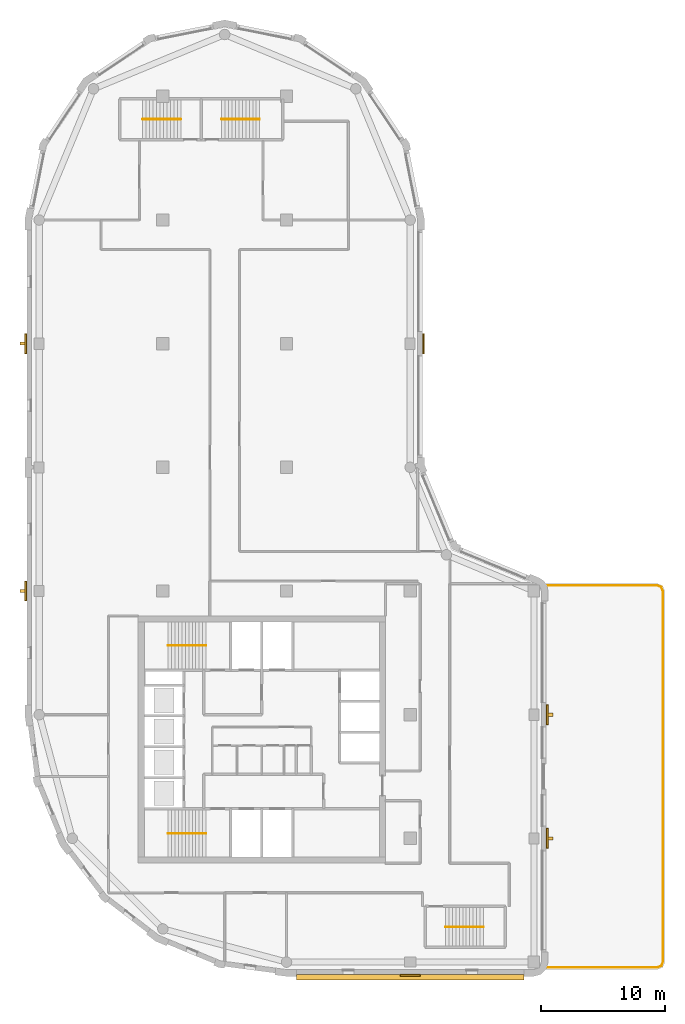
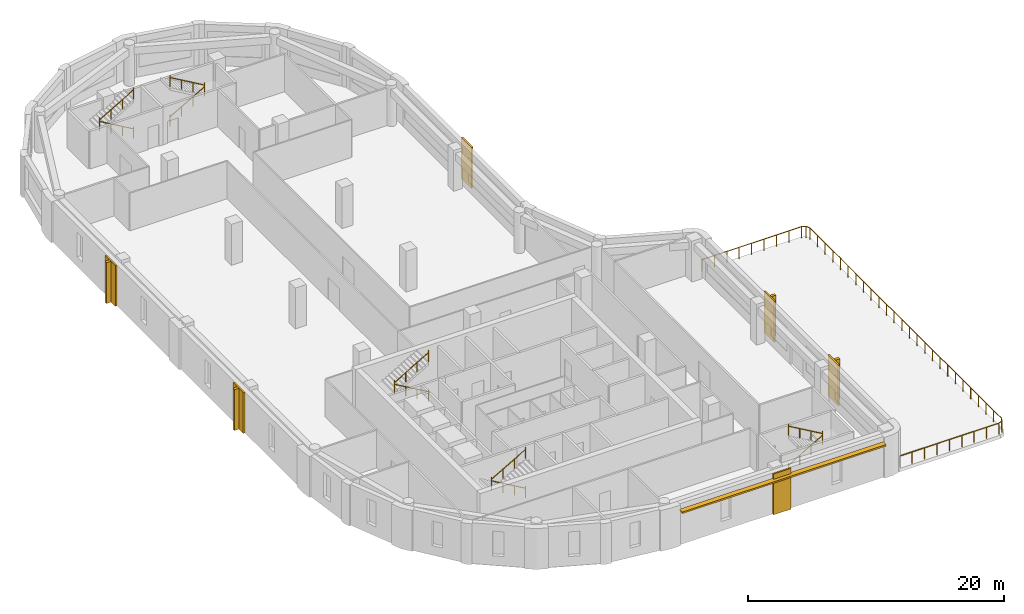
# One storey, part 7 of 8: 11 railings, 6 coverings, 5 shading devices.
"""IFC4 building model written with IfcOpenShell, lengths in metres."""

import ifcopenshell
import ifcopenshell.guid

model = None  # the IFC model being written
_history = None  # IfcOwnerHistory: only IFC2X3 demands one
_inside = {}  # id of a spatial element -> (the spatial element, [elements in it])
_under = {}  # id of a project, library or spatial element -> (it, [spatial elements below it])
_declared = {}  # id of a project -> (the project, [libraries it declares])
_typed = {}  # id of a type object -> (the type object, [elements of that type])
_made_of = {}  # id of a material, layer set ... -> (it, [elements and type objects made of it])


def new_model(schema):
    """Start an empty IFC model of exactly this schema.

    Asked for "IFC4X3", IfcOpenShell would pick the latest addendum, in which some entities
    have other attributes; the version numbers below select the first issue.
    IFC2X3 requires an IfcOwnerHistory on every rooted entity: one is made here for all.
    """
    global model, _history
    if schema == "IFC4X3":
        model = ifcopenshell.file(schema_version=(4, 3, 0, 0))
    else:
        model = ifcopenshell.file(schema=schema)
    _inside.clear()
    _under.clear()
    _declared.clear()
    _typed.clear()
    _made_of.clear()
    _history = None
    if model.schema == "IFC2X3":
        org = make("IfcOrganization", Name="unknown")
        user = make(
            "IfcPersonAndOrganization",
            ThePerson=make("IfcPerson", FamilyName="unknown"),
            TheOrganization=org,
        )
        app = make(
            "IfcApplication",
            ApplicationDeveloper=org,
            Version="unknown",
            ApplicationFullName="unknown",
            ApplicationIdentifier="unknown",
        )
        _history = make(
            "IfcOwnerHistory",
            OwningUser=user,
            OwningApplication=app,
            ChangeAction="ADDED",
            CreationDate=0,
        )
    return model


def make(cls, **values):
    """One entity of the class cls with the attributes given. An attribute that is None is left unset."""
    return model.create_entity(
        cls, **{name: value for name, value in values.items() if value is not None}
    )


def rooted(cls, **values):
    """An entity with a GlobalId (a new one), such as an element, a storey or a relation."""
    return make(cls, GlobalId=ifcopenshell.guid.new(), OwnerHistory=_history, **values)


def si_unit(unit_type, name, prefix=None):
    """IfcSIUnit, for example si_unit("LENGTHUNIT", "METRE", prefix="MILLI")."""
    return make("IfcSIUnit", UnitType=unit_type, Prefix=prefix, Name=name)


def assignment(units):
    """IfcUnitAssignment: the units of a project."""
    return None if units is None else make("IfcUnitAssignment", Units=units)


def point(xyz):
    """IfcCartesianPoint."""
    return None if xyz is None else make("IfcCartesianPoint", Coordinates=xyz)


def direction(xyz):
    """IfcDirection."""
    return None if xyz is None else make("IfcDirection", DirectionRatios=xyz)


def frame(location, z_axis=None, x_axis=None):
    """IfcAxis2Placement3D, a coordinate frame: its origin and axes. An axis left out is left unset."""
    return make(
        "IfcAxis2Placement3D",
        Location=point(location),
        Axis=direction(z_axis),
        RefDirection=direction(x_axis),
    )


def frame_2d(location, x_axis=None):
    """IfcAxis2Placement2D, a coordinate frame in the plane: its origin and x axis."""
    return make(
        "IfcAxis2Placement2D", Location=point(location), RefDirection=direction(x_axis)
    )


def origin():
    """The frame at (0, 0, 0) with its axes left unset."""
    return frame((0.0, 0.0, 0.0))


def origin_2d():
    """The frame at (0, 0) in the plane with its x axis left unset."""
    return frame_2d((0.0, 0.0))


def place(relative_to, where):
    """IfcLocalPlacement: puts the frame where relative to a parent placement (None: the world)."""
    return make(
        "IfcLocalPlacement", PlacementRelTo=relative_to, RelativePlacement=where
    )


def context(
    kind, dimensions, precision=None, world=None, true_north=None, identifier=None
):
    """IfcGeometricRepresentationContext, for example the 3D "Model" context."""
    return make(
        "IfcGeometricRepresentationContext",
        ContextIdentifier=identifier,
        ContextType=kind,
        CoordinateSpaceDimension=dimensions,
        Precision=precision,
        WorldCoordinateSystem=world,
        TrueNorth=true_north,
    )


def subcontext(parent, identifier, kind, view, scale=None):
    """IfcGeometricRepresentationSubContext, for example "Body" below "Model"."""
    return make(
        "IfcGeometricRepresentationSubContext",
        ContextIdentifier=identifier,
        ContextType=kind,
        ParentContext=parent,
        TargetScale=scale,
        TargetView=view,
    )


def project(units=None, contexts=None):
    """IfcProject with its units and contexts."""
    return rooted(
        "IfcProject",
        Name="project",
        RepresentationContexts=contexts,
        UnitsInContext=assignment(units),
    )


def spatial(cls, under=None, at=None, **own):
    """A site, building, storey or space (cls), placed at a placement, below another one or the project."""
    s = rooted(cls, ObjectPlacement=at, **own)
    if under is not None:
        _under.setdefault(under.id(), (under, []))[1].append(s)
    return s


def polyline(points):
    """IfcPolyline through the points."""
    return make("IfcPolyline", Points=[point(p) for p in points])


def profile(cls, at=None, kind="AREA", **sizes):
    """A parametric profile (cls). Its sizes go by their IFC names, for example OverallWidth=200.0."""
    return make(cls, ProfileType=kind, Position=at, **sizes)


def rectangle(**sizes):
    """IfcRectangleProfileDef."""
    return profile("IfcRectangleProfileDef", **sizes)


def circle(**sizes):
    """IfcCircleProfileDef."""
    return profile("IfcCircleProfileDef", **sizes)


def outline(outer, holes=None, kind="AREA"):
    """IfcArbitraryClosedProfileDef: a profile drawn as a closed curve; with holes, ...WithVoids."""
    if holes is None:
        return make("IfcArbitraryClosedProfileDef", ProfileType=kind, OuterCurve=outer)
    return make(
        "IfcArbitraryProfileDefWithVoids",
        ProfileType=kind,
        OuterCurve=outer,
        InnerCurves=holes,
    )


def extrude(swept, where, along, depth):
    """IfcExtrudedAreaSolid: the profile swept, set in the frame where, extruded along a direction by depth."""
    return make(
        "IfcExtrudedAreaSolid",
        SweptArea=swept,
        Position=where,
        ExtrudedDirection=direction(along),
        Depth=depth,
    )


def shape(context_of_items, identifier, shape_type, items):
    """IfcShapeRepresentation: the items that make up one representation, for example the "Body"."""
    return make(
        "IfcShapeRepresentation",
        ContextOfItems=context_of_items,
        RepresentationIdentifier=identifier,
        RepresentationType=shape_type,
        Items=items,
    )


def material(Name=None, Category=None):
    """IfcMaterial."""
    return make("IfcMaterial", Name=Name, Category=Category)


def layer(
    of_material, thickness, ventilated=None, Name=None, Category=None, Priority=None
):
    """IfcMaterialLayer: one layer of a wall or slab, of a material (None: an air gap)."""
    return make(
        "IfcMaterialLayer",
        Material=of_material,
        LayerThickness=thickness,
        IsVentilated=ventilated,
        Name=Name,
        Category=Category,
        Priority=Priority,
    )


def layer_set(layers, Name=None):
    """IfcMaterialLayerSet."""
    return make("IfcMaterialLayerSet", MaterialLayers=layers, LayerSetName=Name)


def made_of(thing, what):
    """Note that an element or type object is made of a material, layer set ...; save() writes the relation."""
    if what is not None:
        _made_of.setdefault(what.id(), (what, []))[1].append(thing)
    return thing


def type_object(cls, material=None, **own):
    """A type object (cls), such as IfcWallType, which elements share."""
    return made_of(rooted(cls, **own), material)


def element(
    cls,
    number,
    at=None,
    inside=None,
    cuts=None,
    type_object=None,
    material=None,
    context=None,
    identifier="Body",
    shape_type=None,
    held_by="IfcProductDefinitionShape",
    body=None,
    shapes=None,
    **own,
):
    """One element of the class cls, such as IfcWall. Its Tag is "e" and its number.

    at: its placement. inside: the storey or other place that contains it. cuts: it is an
    opening in that element (IfcRelVoidsElement). A single representation is given by context,
    identifier, shape_type and body (its items); several are given by shapes. held_by: the class
    of the entity that holds the representations. save() writes the other relations.
    """
    e = rooted(cls, Tag="e%d" % number, ObjectPlacement=at, **own)
    if body is not None:
        shapes = [shape(context, identifier, shape_type, body)]
    if shapes is not None:
        e.Representation = make(held_by, Representations=shapes)
    if inside is not None:
        _inside.setdefault(inside.id(), (inside, []))[1].append(e)
    if cuts is not None:
        rooted(
            "IfcRelVoidsElement", RelatingBuildingElement=cuts, RelatedOpeningElement=e
        )
    if type_object is not None:
        _typed.setdefault(type_object.id(), (type_object, []))[1].append(e)
    return made_of(e, material)


def aggregate(whole, parts):
    """IfcRelAggregates: a whole, such as a stair, and the parts it consists of."""
    return rooted("IfcRelAggregates", RelatingObject=whole, RelatedObjects=parts)


def save(model, path):
    """Write the relations noted so far, then the file.

    IfcRelAggregates (storeys below a building ...), IfcRelContainedInSpatialStructure (elements
    in a storey), IfcRelDefinesByType, IfcRelAssociatesMaterial and IfcRelDeclares: one each for
    every whole, place, type object, material and project.
    """
    for whole, parts in _under.values():
        aggregate(whole, parts)
    for where, things in _inside.values():
        rooted(
            "IfcRelContainedInSpatialStructure",
            RelatedElements=things,
            RelatingStructure=where,
        )
    for kind, things in _typed.values():
        rooted("IfcRelDefinesByType", RelatedObjects=things, RelatingType=kind)
    for what, things in _made_of.values():
        rooted("IfcRelAssociatesMaterial", RelatedObjects=things, RelatingMaterial=what)
    for by, libraries in _declared.values():
        rooted("IfcRelDeclares", RelatingContext=by, RelatedDefinitions=libraries)
    model.write(path)


model = new_model("IFC4")

# Units and contexts
model_context = context("Model", 3, precision=1e-05, world=origin(), true_north=direction((0.0, 1.0)))
body_context = subcontext(model_context, "Body", "Model", "MODEL_VIEW")
ifc_project = project(units=[si_unit("LENGTHUNIT", "METRE"), si_unit("AREAUNIT", "SQUARE_METRE"), si_unit("VOLUMEUNIT", "CUBIC_METRE"), si_unit("PLANEANGLEUNIT", "RADIAN"), si_unit("MASSUNIT", "GRAM", prefix="KILO")], contexts=[model_context])

# Site, building, storey
site_placement = place(None, origin())
site = spatial("IfcSite", under=ifc_project, at=site_placement, CompositionType="ELEMENT")
building_placement = place(site_placement, origin())
building = spatial("IfcBuilding", under=site, at=building_placement, Name="Qaws Garden Tower", CompositionType="ELEMENT")
storey_placement = place(building_placement, frame((0.0, 0.0, 278.699951171875)))
storey = spatial("IfcBuildingStorey", under=building, at=storey_placement, Name="L67", CompositionType="ELEMENT", Elevation=278.699951171875)

# Coverings
ifc_material_1 = material(Name="Clay facing brick masonry", Category="masonry")
ifc_layer_1 = layer(ifc_material_1, 0.14990234375)
ifc_layer_set_1 = layer_set([ifc_layer_1], Name="Clay facing brick masonry")
covering_type = type_object("IfcCoveringType", Name="Brick pilaster facing 150 x 1600", PredefinedType="CLADDING", material=ifc_layer_set_1)
placement = place(storey_placement, origin())
element("IfcCovering", 1, at=placement, inside=storey, type_object=covering_type, Name="E-L67-pier-01", PredefinedType="CLADDING", context=body_context, shape_type="SweptSolid", body=[
    extrude(outline(polyline([(29.199951171875, -1.0), (30.800048828125, -1.0), (30.800048828125, -1.14990234375), (29.199951171875, -1.14990234375), (29.199951171875, -1.0)])), origin(), (0.0, 0.0, 1.0), 3.900146484375),
])
element("IfcCovering", 2, at=placement, inside=storey, type_object=covering_type, Name="E-L67-pier-03", PredefinedType="CLADDING", context=body_context, shape_type="SweptSolid", body=[
    extrude(outline(polyline([(41.0, 9.199951171875), (41.0, 10.800048828125), (41.14990234375, 10.800048828125), (41.14990234375, 9.199951171875), (41.0, 9.199951171875)])), origin(), (0.0, 0.0, 1.0), 3.900146484375),
])
element("IfcCovering", 3, at=placement, inside=storey, type_object=covering_type, Name="E-L67-pier-04", PredefinedType="CLADDING", context=body_context, shape_type="SweptSolid", body=[
    extrude(outline(polyline([(41.0, 19.199951171875), (41.0, 20.800048828125), (41.14990234375, 20.800048828125), (41.14990234375, 19.199951171875), (41.0, 19.199951171875)])), origin(), (0.0, 0.0, 1.0), 3.900146484375),
])
element("IfcCovering", 4, at=placement, inside=storey, type_object=covering_type, Name="E-L67-pier-08", PredefinedType="CLADDING", context=body_context, shape_type="SweptSolid", body=[
    extrude(outline(polyline([(31.0, 49.199951171875), (31.0, 50.800048828125), (31.14990234375, 50.800048828125), (31.14990234375, 49.199951171875), (31.0, 49.199951171875)])), origin(), (0.0, 0.0, 1.0), 3.900146484375),
])
element("IfcCovering", 5, at=placement, inside=storey, type_object=covering_type, Name="E-L67-pier-18", PredefinedType="CLADDING", context=body_context, shape_type="SweptSolid", body=[
    extrude(outline(polyline([(-1.0, 50.800048828125), (-1.0, 49.199951171875), (-1.14990234375, 49.199951171875), (-1.14990234375, 50.800048828125), (-1.0, 50.800048828125)])), origin(), (0.0, 0.0, 1.0), 3.900146484375),
])
element("IfcCovering", 6, at=placement, inside=storey, type_object=covering_type, Name="E-L67-pier-20", PredefinedType="CLADDING", context=body_context, shape_type="SweptSolid", body=[
    extrude(outline(polyline([(-1.0, 30.800048828125), (-1.0, 29.199951171875), (-1.14990234375, 29.199951171875), (-1.14990234375, 30.800048828125), (-1.0, 30.800048828125)])), origin(), (0.0, 0.0, 1.0), 3.900146484375),
])

# Shading devices
ifc_material_2 = material(Name="Clay facing brick masonry", Category="masonry")
ifc_layer_2 = layer(ifc_material_2, 0.14990234375)
ifc_layer_set_2 = layer_set([ifc_layer_2], Name="Clay facing brick masonry")
shading_device_type_1 = type_object("IfcShadingDeviceType", Name="Brick sunshade band 450 x 150", PredefinedType="JALOUSIE", material=ifc_layer_set_2)
shading_device_placement = place(storey_placement, frame((0.0, 0.0, 3.25)))
element("IfcShadingDevice", 7, at=shading_device_placement, inside=storey, type_object=shading_device_type_1, Name="SUNSHADE 00", PredefinedType="JALOUSIE", context=body_context, shape_type="SweptSolid", body=[
    extrude(outline(polyline([(20.800048828125, -1.0), (20.800048828125, -1.449951171875), (39.199951171875, -1.449951171875), (39.199951171875, -1.0), (30.800048828125, -1.0), (30.800048828125, -1.14990234375), (29.199951171875, -1.14990234375), (29.199951171875, -1.0), (20.800048828125, -1.0)])), origin(), (0.0, 0.0, 1.0), 0.150146484375),
])
ifc_material_3 = material(Name="Clay facing brick masonry", Category="masonry")
ifc_layer_3 = layer(ifc_material_3, 0.25)
ifc_layer_set_3 = layer_set([ifc_layer_3], Name="Clay facing brick masonry")
shading_device_type_2 = type_object("IfcShadingDeviceType", Name="Brick-faced fin 250 x 400", PredefinedType="USERDEFINED", material=ifc_layer_set_3)
for number, where, z_axis, x_axis, name in (
    (8, (41.35009765625, 10.0, 0.0), (0.0, 0.0, 1.0), (0.0, 1.0, 0.0), "FIN 03"),
    (9, (41.35009765625, 20.0, 0.0), (0.0, 0.0, 1.0), (0.0, 1.0, 0.0), "FIN 04"),
    (10, (-1.35009765625, 50.0, 0.0), (0.0, 0.0, 1.0), (0.0, -1.0, 0.0), "FIN 18"),
    (11, (-1.35009765625, 30.0, 0.0), (0.0, 0.0, 1.0), (0.0, -1.0, 0.0), "FIN 20"),
):
    element("IfcShadingDevice", number, at=place(storey_placement, frame(where, z_axis=z_axis, x_axis=x_axis)), inside=storey, type_object=shading_device_type_2, Name=name, ObjectType="FIN", PredefinedType="USERDEFINED", context=body_context, shape_type="SweptSolid", body=[
        extrude(rectangle(XDim=0.25, YDim=0.39990234375, at=origin_2d()), origin(), (0.0, 0.0, 1.0), 3.89990234375),
    ])

# Railings
ifc_material_4 = material(Name="Steel S355", Category="steel")
railing_type_1 = type_object("IfcRailingType", Name="Guard steel balustrade 1100", PredefinedType="GUARDRAIL", material=ifc_material_4)
railing_1_placement = place(storey_placement, frame((40.97607421875, 30.449951171875, 0.0)))
element("IfcRailing", 12, at=railing_1_placement, inside=storey, type_object=railing_type_1, Name="Terrace guard", PredefinedType="GUARDRAIL", context=body_context, shape_type="SweptSolid", body=[
    extrude(circle(Radius=0.02392578125, at=origin_2d()), frame((0.0, 0.0, 1.076171875), z_axis=(1.0, 0.0, 0.0), x_axis=(0.0, 1.0, 0.0)), (0.0, 0.0, 1.0), 8.994140625),
    extrude(circle(Radius=0.02392578125, at=origin_2d()), frame((8.994140625, 0.0, 1.076171875), z_axis=(0.924057322028, -0.382253928177, 0.0), x_axis=(0.382253928177, 0.924057322028, 0.0)), (0.0, 0.0, 1.0), 0.3671875),
    extrude(circle(Radius=0.02392578125, at=origin_2d()), frame((9.33349609375, -0.140380859375, 1.076171875), z_axis=(0.382253928177, -0.924057322028, 0.0), x_axis=(0.924057322028, 0.382253928177, 0.0)), (0.0, 0.0, 1.0), 0.3671875),
    extrude(circle(Radius=0.02392578125, at=origin_2d()), frame((9.473876953125, -0.479736328125, 1.076171875), z_axis=(0.0, -1.0, 0.0), x_axis=(1.0, 0.0, 0.0)), (0.0, 0.0, 1.0), 29.9404296875),
    extrude(circle(Radius=0.02392578125, at=origin_2d()), frame((9.473876953125, -30.420166015625, 1.076171875), z_axis=(-0.382253928177, -0.924057322028, 0.0), x_axis=(0.924057322028, -0.382253928177, 0.0)), (0.0, 0.0, 1.0), 0.3671875),
    extrude(circle(Radius=0.02392578125, at=origin_2d()), frame((9.33349609375, -30.759521484375, 1.076171875), z_axis=(-0.924057322028, -0.382253928177, 0.0), x_axis=(0.382253928177, -0.924057322028, 0.0)), (0.0, 0.0, 1.0), 0.3671875),
    extrude(circle(Radius=0.02392578125, at=origin_2d()), frame((8.994140625, -30.89990234375, 1.076171875), z_axis=(-1.0, 0.0, 0.0), x_axis=(0.0, -1.0, 0.0)), (0.0, 0.0, 1.0), 8.994140625),
    extrude(circle(Radius=0.02099609375, at=origin_2d()), origin(), (0.0, 0.0, 1.0), 1.052001953125),
    extrude(circle(Radius=0.02099609375, at=origin_2d()), frame((1.124267578125, 0.0, 0.0)), (0.0, 0.0, 1.0), 1.052001953125),
    extrude(circle(Radius=0.02099609375, at=origin_2d()), frame((2.24853515625, 0.0, 0.0)), (0.0, 0.0, 1.0), 1.052001953125),
    extrude(circle(Radius=0.02099609375, at=origin_2d()), frame((3.372802734375, 0.0, 0.0)), (0.0, 0.0, 1.0), 1.052001953125),
    extrude(circle(Radius=0.02099609375, at=origin_2d()), frame((4.4970703125, 0.0, 0.0)), (0.0, 0.0, 1.0), 1.052001953125),
    extrude(circle(Radius=0.02099609375, at=origin_2d()), frame((5.621337890625, 0.0, 0.0)), (0.0, 0.0, 1.0), 1.052001953125),
    extrude(circle(Radius=0.02099609375, at=origin_2d()), frame((6.74560546875, 0.0, 0.0)), (0.0, 0.0, 1.0), 1.052001953125),
    extrude(circle(Radius=0.02099609375, at=origin_2d()), frame((7.869873046875, 0.0, 0.0)), (0.0, 0.0, 1.0), 1.052001953125),
    extrude(circle(Radius=0.02099609375, at=origin_2d()), frame((8.994140625, 0.0, 0.0)), (0.0, 0.0, 1.0), 1.052001953125),
    extrude(circle(Radius=0.02099609375, at=origin_2d()), frame((9.33349609375, -0.140380859375, 0.0)), (0.0, 0.0, 1.0), 1.052001953125),
    extrude(circle(Radius=0.02099609375, at=origin_2d()), frame((9.473876953125, -0.479736328125, 0.0)), (0.0, 0.0, 1.0), 1.052001953125),
    extrude(circle(Radius=0.02099609375, at=origin_2d()), frame((9.473876953125, -1.67724609375, 0.0)), (0.0, 0.0, 1.0), 1.052001953125),
    extrude(circle(Radius=0.02099609375, at=origin_2d()), frame((9.473876953125, -2.875, 0.0)), (0.0, 0.0, 1.0), 1.052001953125),
    extrude(circle(Radius=0.02099609375, at=origin_2d()), frame((9.473876953125, -4.072509765625, 0.0)), (0.0, 0.0, 1.0), 1.052001953125),
    extrude(circle(Radius=0.02099609375, at=origin_2d()), frame((9.473876953125, -5.270263671875, 0.0)), (0.0, 0.0, 1.0), 1.052001953125),
    extrude(circle(Radius=0.02099609375, at=origin_2d()), frame((9.473876953125, -6.4677734375, 0.0)), (0.0, 0.0, 1.0), 1.052001953125),
    extrude(circle(Radius=0.02099609375, at=origin_2d()), frame((9.473876953125, -7.66552734375, 0.0)), (0.0, 0.0, 1.0), 1.052001953125),
    extrude(circle(Radius=0.02099609375, at=origin_2d()), frame((9.473876953125, -8.863037109375, 0.0)), (0.0, 0.0, 1.0), 1.052001953125),
    extrude(circle(Radius=0.02099609375, at=origin_2d()), frame((9.473876953125, -10.060791015625, 0.0)), (0.0, 0.0, 1.0), 1.052001953125),
    extrude(circle(Radius=0.02099609375, at=origin_2d()), frame((9.473876953125, -11.25830078125, 0.0)), (0.0, 0.0, 1.0), 1.052001953125),
    extrude(circle(Radius=0.02099609375, at=origin_2d()), frame((9.473876953125, -12.455810546875, 0.0)), (0.0, 0.0, 1.0), 1.052001953125),
    extrude(circle(Radius=0.02099609375, at=origin_2d()), frame((9.473876953125, -13.653564453125, 0.0)), (0.0, 0.0, 1.0), 1.052001953125),
    extrude(circle(Radius=0.02099609375, at=origin_2d()), frame((9.473876953125, -14.85107421875, 0.0)), (0.0, 0.0, 1.0), 1.052001953125),
    extrude(circle(Radius=0.02099609375, at=origin_2d()), frame((9.473876953125, -16.048828125, 0.0)), (0.0, 0.0, 1.0), 1.052001953125),
    extrude(circle(Radius=0.02099609375, at=origin_2d()), frame((9.473876953125, -17.246337890625, 0.0)), (0.0, 0.0, 1.0), 1.052001953125),
    extrude(circle(Radius=0.02099609375, at=origin_2d()), frame((9.473876953125, -18.444091796875, 0.0)), (0.0, 0.0, 1.0), 1.052001953125),
    extrude(circle(Radius=0.02099609375, at=origin_2d()), frame((9.473876953125, -19.6416015625, 0.0)), (0.0, 0.0, 1.0), 1.052001953125),
    extrude(circle(Radius=0.02099609375, at=origin_2d()), frame((9.473876953125, -20.839111328125, 0.0)), (0.0, 0.0, 1.0), 1.052001953125),
    extrude(circle(Radius=0.02099609375, at=origin_2d()), frame((9.473876953125, -22.036865234375, 0.0)), (0.0, 0.0, 1.0), 1.052001953125),
    extrude(circle(Radius=0.02099609375, at=origin_2d()), frame((9.473876953125, -23.234375, 0.0)), (0.0, 0.0, 1.0), 1.052001953125),
    extrude(circle(Radius=0.02099609375, at=origin_2d()), frame((9.473876953125, -24.43212890625, 0.0)), (0.0, 0.0, 1.0), 1.052001953125),
    extrude(circle(Radius=0.02099609375, at=origin_2d()), frame((9.473876953125, -25.629638671875, 0.0)), (0.0, 0.0, 1.0), 1.052001953125),
    extrude(circle(Radius=0.02099609375, at=origin_2d()), frame((9.473876953125, -26.827392578125, 0.0)), (0.0, 0.0, 1.0), 1.052001953125),
    extrude(circle(Radius=0.02099609375, at=origin_2d()), frame((9.473876953125, -28.02490234375, 0.0)), (0.0, 0.0, 1.0), 1.052001953125),
    extrude(circle(Radius=0.02099609375, at=origin_2d()), frame((9.473876953125, -29.22265625, 0.0)), (0.0, 0.0, 1.0), 1.052001953125),
    extrude(circle(Radius=0.02099609375, at=origin_2d()), frame((9.473876953125, -30.420166015625, 0.0)), (0.0, 0.0, 1.0), 1.052001953125),
    extrude(circle(Radius=0.02099609375, at=origin_2d()), frame((9.33349609375, -30.759521484375, 0.0)), (0.0, 0.0, 1.0), 1.052001953125),
    extrude(circle(Radius=0.02099609375, at=origin_2d()), frame((8.994140625, -30.89990234375, 0.0)), (0.0, 0.0, 1.0), 1.052001953125),
    extrude(circle(Radius=0.02099609375, at=origin_2d()), frame((7.869873046875, -30.89990234375, 0.0)), (0.0, 0.0, 1.0), 1.052001953125),
    extrude(circle(Radius=0.02099609375, at=origin_2d()), frame((6.74560546875, -30.89990234375, 0.0)), (0.0, 0.0, 1.0), 1.052001953125),
    extrude(circle(Radius=0.02099609375, at=origin_2d()), frame((5.621337890625, -30.89990234375, 0.0)), (0.0, 0.0, 1.0), 1.052001953125),
    extrude(circle(Radius=0.02099609375, at=origin_2d()), frame((4.4970703125, -30.89990234375, 0.0)), (0.0, 0.0, 1.0), 1.052001953125),
    extrude(circle(Radius=0.02099609375, at=origin_2d()), frame((3.372802734375, -30.89990234375, 0.0)), (0.0, 0.0, 1.0), 1.052001953125),
    extrude(circle(Radius=0.02099609375, at=origin_2d()), frame((2.24853515625, -30.89990234375, 0.0)), (0.0, 0.0, 1.0), 1.052001953125),
    extrude(circle(Radius=0.02099609375, at=origin_2d()), frame((1.124267578125, -30.89990234375, 0.0)), (0.0, 0.0, 1.0), 1.052001953125),
    extrude(circle(Radius=0.02099609375, at=origin_2d()), frame((0.0, -30.89990234375, 0.0)), (0.0, 0.0, 1.0), 1.052001953125),
])
ifc_material_5 = material(Name="Steel S355", Category="steel")
railing_type_2 = type_object("IfcRailingType", Name="Stair handrail 900", PredefinedType="HANDRAIL", material=ifc_material_5)
railing_2_placement = place(storey_placement, frame((13.5, 10.39990234375, 0.16259765625)))
element("IfcRailing", 13, at=railing_2_placement, inside=storey, type_object=railing_type_2, Name="Stair 1 handrail", PredefinedType="HANDRAIL", context=body_context, shape_type="SweptSolid", body=[
    extrude(circle(Radius=0.02392578125, at=origin_2d()), frame((0.0, 0.0, 0.8759765625), z_axis=(-0.864920483161, 0.0, 0.501908913857), x_axis=(0.0, -1.0, 0.0)), (0.0, 0.0, 1.0), 3.56103515625),
    extrude(circle(Radius=0.02099609375, at=origin_2d()), origin(), (0.0, 0.0, 1.0), 1.06201171875),
    extrude(circle(Radius=0.02099609375, at=origin_2d()), frame((-1.026611328125, 0.0, 0.595703125)), (0.0, 0.0, 1.0), 0.851806640625),
    extrude(circle(Radius=0.02099609375, at=origin_2d()), frame((-2.053466796875, 0.0, 1.191650390625)), (0.0, 0.0, 1.0), 0.851806640625),
    extrude(circle(Radius=0.02099609375, at=origin_2d()), frame((-3.080078125, 0.0, 1.787353515625)), (0.0, 0.0, 1.0), 1.06201171875),
])
railing_3_placement = place(storey_placement, frame((10.419921875, 10.39990234375, 2.112548828125)))
element("IfcRailing", 14, at=railing_3_placement, inside=storey, type_object=railing_type_2, Name="Stair 1 handrail", PredefinedType="HANDRAIL", context=body_context, shape_type="SweptSolid", body=[
    extrude(circle(Radius=0.02392578125, at=origin_2d()), frame((0.0, 0.0, 0.8759765625), z_axis=(0.864890721111, 0.0, 0.501960198159), x_axis=(0.0, 1.0, 0.0)), (0.0, 0.0, 1.0), 3.561279296875),
    extrude(circle(Radius=0.02099609375, at=origin_2d()), origin(), (0.0, 0.0, 1.0), 1.06201171875),
    extrude(circle(Radius=0.02099609375, at=origin_2d()), frame((1.026611328125, 0.0, 0.595947265625)), (0.0, 0.0, 1.0), 0.851806640625),
    extrude(circle(Radius=0.02099609375, at=origin_2d()), frame((2.053466796875, 0.0, 1.191650390625)), (0.0, 0.0, 1.0), 0.851806640625),
    extrude(circle(Radius=0.02099609375, at=origin_2d()), frame((3.080078125, 0.0, 1.78759765625)), (0.0, 0.0, 1.0), 1.06201171875),
])
railing_4_placement = place(storey_placement, frame((13.5, 25.60009765625, 0.16259765625)))
element("IfcRailing", 15, at=railing_4_placement, inside=storey, type_object=railing_type_2, Name="Stair 4 handrail", PredefinedType="HANDRAIL", context=body_context, shape_type="SweptSolid", body=[
    extrude(circle(Radius=0.02392578125, at=origin_2d()), frame((0.0, 0.0, 0.8759765625), z_axis=(-0.864920483161, 0.0, 0.501908913857), x_axis=(0.0, -1.0, 0.0)), (0.0, 0.0, 1.0), 3.56103515625),
    extrude(circle(Radius=0.02099609375, at=origin_2d()), origin(), (0.0, 0.0, 1.0), 1.06201171875),
    extrude(circle(Radius=0.02099609375, at=origin_2d()), frame((-1.026611328125, 0.0, 0.595703125)), (0.0, 0.0, 1.0), 0.851806640625),
    extrude(circle(Radius=0.02099609375, at=origin_2d()), frame((-2.053466796875, 0.0, 1.191650390625)), (0.0, 0.0, 1.0), 0.851806640625),
    extrude(circle(Radius=0.02099609375, at=origin_2d()), frame((-3.080078125, 0.0, 1.787353515625)), (0.0, 0.0, 1.0), 1.06201171875),
])
railing_5_placement = place(storey_placement, frame((10.419921875, 25.60009765625, 2.112548828125)))
element("IfcRailing", 16, at=railing_5_placement, inside=storey, type_object=railing_type_2, Name="Stair 4 handrail", PredefinedType="HANDRAIL", context=body_context, shape_type="SweptSolid", body=[
    extrude(circle(Radius=0.02392578125, at=origin_2d()), frame((0.0, 0.0, 0.8759765625), z_axis=(0.864890721111, 0.0, 0.501960198159), x_axis=(0.0, 1.0, 0.0)), (0.0, 0.0, 1.0), 3.561279296875),
    extrude(circle(Radius=0.02099609375, at=origin_2d()), origin(), (0.0, 0.0, 1.0), 1.06201171875),
    extrude(circle(Radius=0.02099609375, at=origin_2d()), frame((1.026611328125, 0.0, 0.595947265625)), (0.0, 0.0, 1.0), 0.851806640625),
    extrude(circle(Radius=0.02099609375, at=origin_2d()), frame((2.053466796875, 0.0, 1.191650390625)), (0.0, 0.0, 1.0), 0.851806640625),
    extrude(circle(Radius=0.02099609375, at=origin_2d()), frame((3.080078125, 0.0, 1.78759765625)), (0.0, 0.0, 1.0), 1.06201171875),
])
railing_6_placement = place(storey_placement, frame((32.85009765625, 2.85009765625, 0.16259765625)))
element("IfcRailing", 17, at=railing_6_placement, inside=storey, type_object=railing_type_2, Name="Stair 5 handrail", PredefinedType="HANDRAIL", context=body_context, shape_type="SweptSolid", body=[
    extrude(circle(Radius=0.02392578125, at=origin_2d()), frame((0.0, 0.0, 0.8759765625), z_axis=(0.864903211148, 0.0, 0.501938676878), x_axis=(0.0, 1.0, 0.0)), (0.0, 0.0, 1.0), 3.560791015625),
    extrude(circle(Radius=0.02099609375, at=origin_2d()), origin(), (0.0, 0.0, 1.0), 1.06201171875),
    extrude(circle(Radius=0.02099609375, at=origin_2d()), frame((1.026611328125, 0.0, 0.595703125)), (0.0, 0.0, 1.0), 0.851806640625),
    extrude(circle(Radius=0.02099609375, at=origin_2d()), frame((2.05322265625, 0.0, 1.191650390625)), (0.0, 0.0, 1.0), 0.851806640625),
    extrude(circle(Radius=0.02099609375, at=origin_2d()), frame((3.079833984375, 0.0, 1.787353515625)), (0.0, 0.0, 1.0), 1.06201171875),
])
railing_7_placement = place(storey_placement, frame((35.929931640625, 2.85009765625, 2.112548828125)))
element("IfcRailing", 18, at=railing_7_placement, inside=storey, type_object=railing_type_2, Name="Stair 5 handrail", PredefinedType="HANDRAIL", context=body_context, shape_type="SweptSolid", body=[
    extrude(circle(Radius=0.02392578125, at=origin_2d()), frame((0.0, 0.0, 0.8759765625), z_axis=(-0.864873446163, 0.0, 0.501989962173), x_axis=(0.0, -1.0, 0.0)), (0.0, 0.0, 1.0), 3.56103515625),
    extrude(circle(Radius=0.02099609375, at=origin_2d()), origin(), (0.0, 0.0, 1.0), 1.06201171875),
    extrude(circle(Radius=0.02099609375, at=origin_2d()), frame((-1.026611328125, 0.0, 0.595947265625)), (0.0, 0.0, 1.0), 0.851806640625),
    extrude(circle(Radius=0.02099609375, at=origin_2d()), frame((-2.05322265625, 0.0, 1.191650390625)), (0.0, 0.0, 1.0), 0.851806640625),
    extrude(circle(Radius=0.02099609375, at=origin_2d()), frame((-3.079833984375, 0.0, 1.78759765625)), (0.0, 0.0, 1.0), 1.06201171875),
])
railing_8_placement = place(storey_placement, frame((11.449951171875, 68.14990234375, 0.16259765625)))
element("IfcRailing", 19, at=railing_8_placement, inside=storey, type_object=railing_type_2, Name="Stair 6 handrail", PredefinedType="HANDRAIL", context=body_context, shape_type="SweptSolid", body=[
    extrude(circle(Radius=0.02392578125, at=origin_2d()), frame((0.0, 0.0, 0.8759765625), z_axis=(-0.864903211148, 0.0, 0.501938676878), x_axis=(0.0, -1.0, 0.0)), (0.0, 0.0, 1.0), 3.560791015625),
    extrude(circle(Radius=0.02099609375, at=origin_2d()), origin(), (0.0, 0.0, 1.0), 1.06201171875),
    extrude(circle(Radius=0.02099609375, at=origin_2d()), frame((-1.026611328125, 0.0, 0.595703125)), (0.0, 0.0, 1.0), 0.851806640625),
    extrude(circle(Radius=0.02099609375, at=origin_2d()), frame((-2.05322265625, 0.0, 1.191650390625)), (0.0, 0.0, 1.0), 0.851806640625),
    extrude(circle(Radius=0.02099609375, at=origin_2d()), frame((-3.079833984375, 0.0, 1.787353515625)), (0.0, 0.0, 1.0), 1.06201171875),
])
railing_9_placement = place(storey_placement, frame((8.3701171875, 68.14990234375, 2.112548828125)))
element("IfcRailing", 20, at=railing_9_placement, inside=storey, type_object=railing_type_2, Name="Stair 6 handrail", PredefinedType="HANDRAIL", context=body_context, shape_type="SweptSolid", body=[
    extrude(circle(Radius=0.02392578125, at=origin_2d()), frame((0.0, 0.0, 0.8759765625), z_axis=(0.864873446163, 0.0, 0.501989962173), x_axis=(0.0, 1.0, 0.0)), (0.0, 0.0, 1.0), 3.56103515625),
    extrude(circle(Radius=0.02099609375, at=origin_2d()), origin(), (0.0, 0.0, 1.0), 1.06201171875),
    extrude(circle(Radius=0.02099609375, at=origin_2d()), frame((1.026611328125, 0.0, 0.595947265625)), (0.0, 0.0, 1.0), 0.851806640625),
    extrude(circle(Radius=0.02099609375, at=origin_2d()), frame((2.05322265625, 0.0, 1.191650390625)), (0.0, 0.0, 1.0), 0.851806640625),
    extrude(circle(Radius=0.02099609375, at=origin_2d()), frame((3.079833984375, 0.0, 1.78759765625)), (0.0, 0.0, 1.0), 1.06201171875),
])
railing_10_placement = place(storey_placement, frame((14.75, 68.14990234375, 0.16259765625)))
element("IfcRailing", 21, at=railing_10_placement, inside=storey, type_object=railing_type_2, Name="Stair 7 handrail", PredefinedType="HANDRAIL", context=body_context, shape_type="SweptSolid", body=[
    extrude(circle(Radius=0.02392578125, at=origin_2d()), frame((0.0, 0.0, 0.8759765625), z_axis=(0.864920483161, 0.0, 0.501908913857), x_axis=(0.0, 1.0, 0.0)), (0.0, 0.0, 1.0), 3.56103515625),
    extrude(circle(Radius=0.02099609375, at=origin_2d()), origin(), (0.0, 0.0, 1.0), 1.06201171875),
    extrude(circle(Radius=0.02099609375, at=origin_2d()), frame((1.026611328125, 0.0, 0.595703125)), (0.0, 0.0, 1.0), 0.851806640625),
    extrude(circle(Radius=0.02099609375, at=origin_2d()), frame((2.053466796875, 0.0, 1.191650390625)), (0.0, 0.0, 1.0), 0.851806640625),
    extrude(circle(Radius=0.02099609375, at=origin_2d()), frame((3.080078125, 0.0, 1.787353515625)), (0.0, 0.0, 1.0), 1.06201171875),
])
railing_11_placement = place(storey_placement, frame((17.830078125, 68.14990234375, 2.112548828125)))
element("IfcRailing", 22, at=railing_11_placement, inside=storey, type_object=railing_type_2, Name="Stair 7 handrail", PredefinedType="HANDRAIL", context=body_context, shape_type="SweptSolid", body=[
    extrude(circle(Radius=0.02392578125, at=origin_2d()), frame((0.0, 0.0, 0.8759765625), z_axis=(-0.864890721111, 0.0, 0.501960198159), x_axis=(0.0, -1.0, 0.0)), (0.0, 0.0, 1.0), 3.561279296875),
    extrude(circle(Radius=0.02099609375, at=origin_2d()), origin(), (0.0, 0.0, 1.0), 1.06201171875),
    extrude(circle(Radius=0.02099609375, at=origin_2d()), frame((-1.026611328125, 0.0, 0.595947265625)), (0.0, 0.0, 1.0), 0.851806640625),
    extrude(circle(Radius=0.02099609375, at=origin_2d()), frame((-2.053466796875, 0.0, 1.191650390625)), (0.0, 0.0, 1.0), 0.851806640625),
    extrude(circle(Radius=0.02099609375, at=origin_2d()), frame((-3.080078125, 0.0, 1.78759765625)), (0.0, 0.0, 1.0), 1.06201171875),
])

save(model, "model.ifc")
